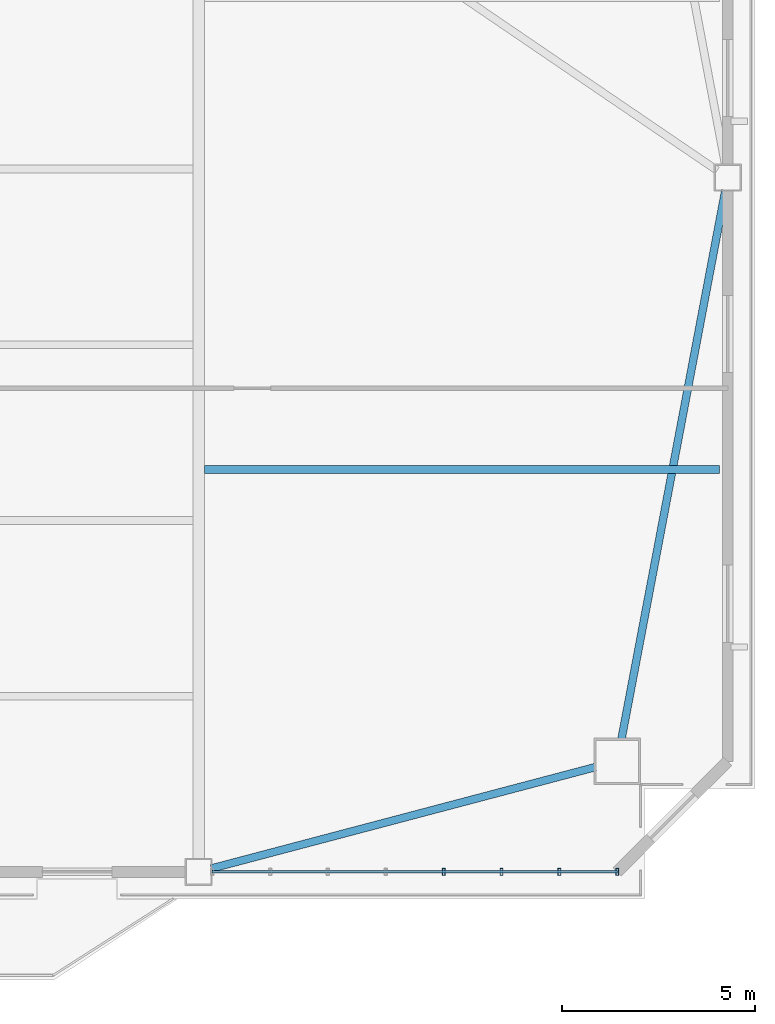
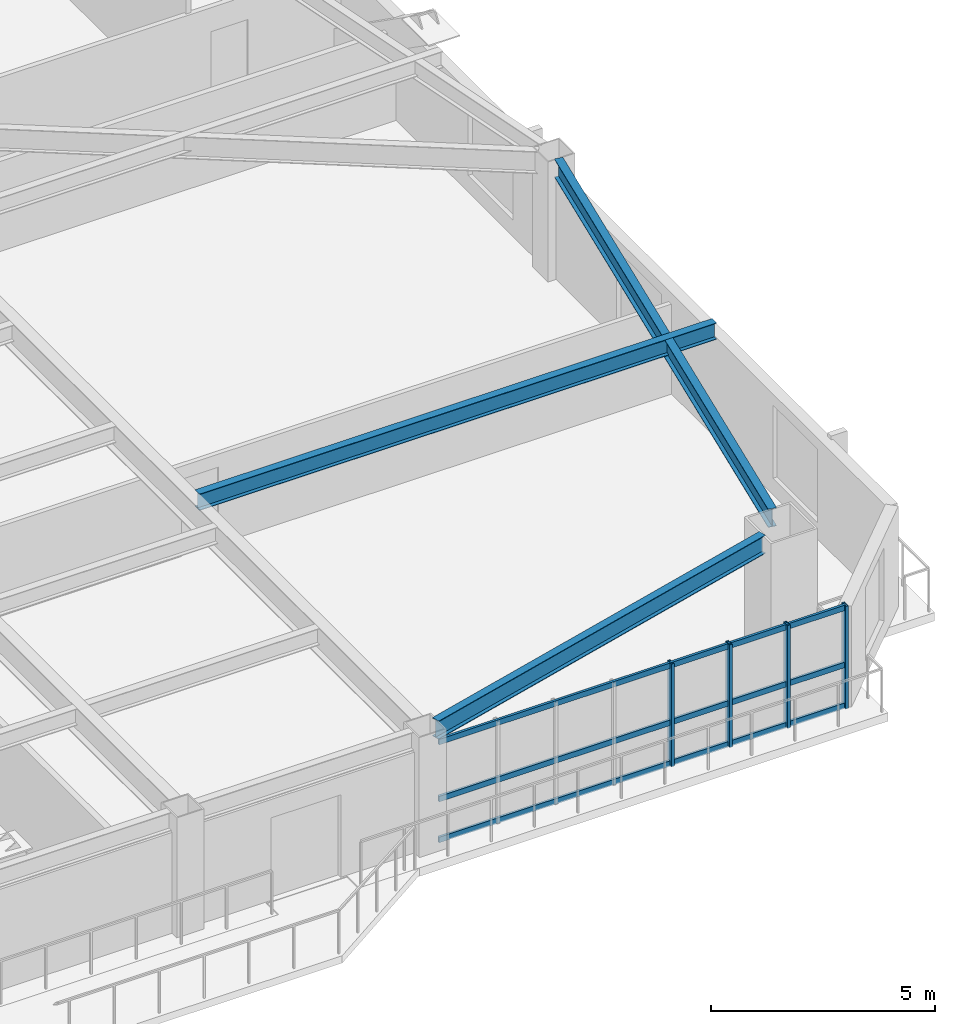
# One storey, part 5 of 15: 7 members, 3 beams, 1 element without a shape of its own.
"""IFC4 building model written with IfcOpenShell, lengths in metres."""

from ifc_helpers import new_model, si_unit, direction, frame, origin, origin_2d, place, context, subcontext, project, spatial, hollow_rectangle, i_section, extrude, source, transform, mapped, material, layer, layer_set, material_profile, profile_set, type_object, element, aggregate, save


model = new_model("IFC4")

# Units and contexts
model_context = context("Model", 3, precision=1e-05, world=origin(), true_north=direction((0.0, 1.0)))
body_context = subcontext(model_context, "Body", "Model", "MODEL_VIEW")
ifc_project = project(units=[si_unit("LENGTHUNIT", "METRE"), si_unit("AREAUNIT", "SQUARE_METRE"), si_unit("VOLUMEUNIT", "CUBIC_METRE"), si_unit("PLANEANGLEUNIT", "RADIAN"), si_unit("MASSUNIT", "GRAM", prefix="KILO")], contexts=[model_context])

# Site, building, storey
site_placement = place(None, origin())
site = spatial("IfcSite", under=ifc_project, at=site_placement, CompositionType="ELEMENT")
building_placement = place(site_placement, origin())
building = spatial("IfcBuilding", under=site, at=building_placement, Name="Giltprow Tower", CompositionType="ELEMENT")
storey_placement = place(building_placement, frame((0.0, 0.0, 184.199951171875)))
storey = spatial("IfcBuildingStorey", under=building, at=storey_placement, Name="L46", CompositionType="ELEMENT", Elevation=184.199951171875)

# Beams
ifc_material_1 = material(Name="Structural steel Q355B", Category="steel")
ifc_material_profile_1 = material_profile(ifc_material_1, i_section(OverallWidth=0.199951171875, OverallDepth=0.5, WebThickness=0.010009765625, FlangeThickness=0.01611328125, at=origin_2d()), Name="HN 500x200x10x16")
ifc_profile_set_1 = profile_set([ifc_material_profile_1], Name="Structural steel Q355B")
beam_type_1 = type_object("IfcBeamType", Name="BM-SPAN-HN500", PredefinedType="SPANDREL", material=ifc_profile_set_1)
shared_shape_1 = source(origin(), body_context, "Body", "SweptSolid", [
    extrude(i_section(OverallWidth=0.199951171875, OverallDepth=0.5, WebThickness=0.010009765625, FlangeThickness=0.01611328125, at=origin_2d()), origin(), (0.0, 0.0, 1.0), 10.286865234375),
])
beam_1_placement = place(storey_placement, frame((50.8740234375, 10.239990234375, 3.02001953125), z_axis=(0.966868553861, 0.25527475307, 0.0), x_axis=(-0.25527475307, 0.966868553861, 0.0)))
element("IfcBeam", 1, at=beam_1_placement, inside=storey, type_object=beam_type_1, Name="L46 Perimeter Spandrel Beam S4-MC_SE", PredefinedType="SPANDREL", context=body_context, shape_type="MappedRepresentation", body=[
    mapped(shared_shape_1, transform((0.0, 0.0, 0.0), x_axis=(1.0, 0.0, 0.0), y_axis=(0.0, 1.0, 0.0), z_axis=(0.0, 0.0, 1.0), scale=1.0)),
])
shared_shape_2 = source(origin(), body_context, "Body", "SweptSolid", [
    extrude(i_section(OverallWidth=0.199951171875, OverallDepth=0.5, WebThickness=0.010009765625, FlangeThickness=0.01611328125, at=origin_2d()), origin(), (0.0, 0.0, 1.0), 14.46044921875),
])
beam_2_placement = place(storey_placement, frame((61.4951171875, 13.590087890625, 3.02001953125), z_axis=(0.186021185186, 0.982545733624, 0.0), x_axis=(-0.982545733624, 0.186021185186, 0.0)))
element("IfcBeam", 2, at=beam_2_placement, inside=storey, type_object=beam_type_1, Name="L46 Perimeter Spandrel Beam MC_SE-E_MID", PredefinedType="SPANDREL", context=body_context, shape_type="MappedRepresentation", body=[
    mapped(shared_shape_2, transform((0.0, 0.0, 0.0), x_axis=(1.0, 0.0, 0.0), y_axis=(0.0, 1.0, 0.0), z_axis=(0.0, 0.0, 1.0), scale=1.0)),
])
ifc_material_profile_2 = material_profile(ifc_material_1, i_section(OverallWidth=0.199951171875, OverallDepth=0.449951171875, WebThickness=0.009033203125, FlangeThickness=0.013916015625, at=origin_2d()), Name="HN 450x200x9x14")
ifc_profile_set_2 = profile_set([ifc_material_profile_2], Name="Structural steel Q355B")
beam_type_2 = type_object("IfcBeamType", Name="BM-JOIST-HN450", PredefinedType="JOIST", material=ifc_profile_set_2)
shared_shape_3 = source(origin(), body_context, "Body", "SweptSolid", [
    extrude(i_section(OverallWidth=0.199951171875, OverallDepth=0.449951171875, WebThickness=0.009033203125, FlangeThickness=0.013916015625, at=origin_2d()), origin(), (0.0, 0.0, 1.0), 13.33203125),
])
beam_3_placement = place(storey_placement, frame((50.695068359375, 20.571044921875, 3.045166015625), z_axis=(1.0, 0.0, 0.0), x_axis=(0.0, 1.0, 0.0)))
element("IfcBeam", 3, at=beam_3_placement, inside=storey, type_object=beam_type_2, Name="L46 East Wing Floor Joist 1", PredefinedType="JOIST", context=body_context, shape_type="MappedRepresentation", body=[
    mapped(shared_shape_3, transform((0.0, 0.0, 0.0), x_axis=(1.0, 0.0, 0.0), y_axis=(0.0, 1.0, 0.0), z_axis=(0.0, 0.0, 1.0), scale=1.0)),
])

# Curtain wall, members
ifc_material_2 = material(Name="Anodized bronze", Category="metal")
ifc_layer = layer(ifc_material_2, 0.179931640625, Name="Anodized bronze")
ifc_layer_set = layer_set([ifc_layer], Name="Anodized bronze")
curtain_wall_type = type_object("IfcCurtainWallType", Name="CW-HTL-BRONZE", PredefinedType="NOTDEFINED", material=ifc_layer_set)
curtain_wall_placement = place(storey_placement, origin())
curtain_wall = element("IfcCurtainWall", 4, at=curtain_wall_placement, inside=storey, type_object=curtain_wall_type, Name="L46 South Recessed Curtain Wall 6", PredefinedType="NOTDEFINED")
ifc_material_profile_3 = material_profile(ifc_material_2, hollow_rectangle(XDim=0.074951171875, YDim=0.179931640625, WallThickness=0.008056640625, at=origin_2d()), Name="RHS 180x75x8")
ifc_profile_set_3 = profile_set([ifc_material_profile_3], Name="Anodized bronze")
member_type_1 = type_object("IfcMemberType", Name="CW-MULLION-180x75", PredefinedType="MULLION", material=ifc_profile_set_3)
shared_shape_4 = source(origin(), body_context, "Body", "SweptSolid", [
    extrude(hollow_rectangle(XDim=0.074951171875, YDim=0.179931640625, WallThickness=0.008056640625, at=origin_2d()), origin(), (0.0, 0.0, 1.0), 2.80517578125),
])
member_1_placement = place(storey_placement, frame((56.89208984375, 10.154052734375, -0.02001953125), z_axis=(0.0, 0.0, 1.0), x_axis=(1.0, 0.0, 0.0)))
member_1 = element("IfcMember", 5, at=member_1_placement, type_object=member_type_1, Name="L46 South Recessed Curtain Wall 6 Mullion 5", PredefinedType="MULLION", context=body_context, shape_type="MappedRepresentation", body=[
    mapped(shared_shape_4, transform((0.0, 0.0, 0.0), x_axis=(1.0, 0.0, 0.0), y_axis=(0.0, 1.0, 0.0), z_axis=(0.0, 0.0, 1.0), scale=1.0)),
])
member_2_placement = place(storey_placement, frame((58.389892578125, 10.154052734375, -0.02001953125), z_axis=(0.0, 0.0, 1.0), x_axis=(1.0, 0.0, 0.0)))
member_2 = element("IfcMember", 6, at=member_2_placement, type_object=member_type_1, Name="L46 South Recessed Curtain Wall 6 Mullion 6", PredefinedType="MULLION", context=body_context, shape_type="MappedRepresentation", body=[
    mapped(shared_shape_4, transform((0.0, 0.0, 0.0), x_axis=(1.0, 0.0, 0.0), y_axis=(0.0, 1.0, 0.0), z_axis=(0.0, 0.0, 1.0), scale=1.0)),
])
member_3_placement = place(storey_placement, frame((59.887939453125, 10.154052734375, -0.02001953125), z_axis=(0.0, 0.0, 1.0), x_axis=(1.0, 0.0, 0.0)))
member_3 = element("IfcMember", 7, at=member_3_placement, type_object=member_type_1, Name="L46 South Recessed Curtain Wall 6 Mullion 7", PredefinedType="MULLION", context=body_context, shape_type="MappedRepresentation", body=[
    mapped(shared_shape_4, transform((0.0, 0.0, 0.0), x_axis=(1.0, 0.0, 0.0), y_axis=(0.0, 1.0, 0.0), z_axis=(0.0, 0.0, 1.0), scale=1.0)),
])
member_4_placement = place(storey_placement, frame((61.385986328125, 10.154052734375, -0.02001953125), z_axis=(0.0, 0.0, 1.0), x_axis=(1.0, 0.0, 0.0)))
member_4 = element("IfcMember", 8, at=member_4_placement, type_object=member_type_1, Name="L46 South Recessed Curtain Wall 6 Mullion 8", PredefinedType="MULLION", context=body_context, shape_type="MappedRepresentation", body=[
    mapped(shared_shape_4, transform((0.0, 0.0, 0.0), x_axis=(1.0, 0.0, 0.0), y_axis=(0.0, 1.0, 0.0), z_axis=(0.0, 0.0, 1.0), scale=1.0)),
])
ifc_material_profile_4 = material_profile(ifc_material_2, hollow_rectangle(XDim=0.06494140625, YDim=0.14990234375, WallThickness=0.006103515625, at=origin_2d()), Name="RHS 150x65x6")
ifc_profile_set_4 = profile_set([ifc_material_profile_4], Name="Anodized bronze")
member_type_2 = type_object("IfcMemberType", Name="CW-TRANSOM-150x65", PredefinedType="USERDEFINED", material=ifc_profile_set_4)
shared_shape_5 = source(origin(), body_context, "Body", "SweptSolid", [
    extrude(hollow_rectangle(XDim=0.06494140625, YDim=0.14990234375, WallThickness=0.006103515625, at=origin_2d()), origin(), (0.0, 0.0, 1.0), 10.486083984375),
])
member_5_placement = place(storey_placement, frame((50.89990234375, 10.154052734375, 0.0400390625), z_axis=(1.0, 0.0, 0.0), x_axis=(0.0, 1.0, 0.0)))
member_5 = element("IfcMember", 9, at=member_5_placement, type_object=member_type_2, Name="L46 South Recessed Curtain Wall 6 Transom 1", ObjectType="TRANSOM", PredefinedType="USERDEFINED", context=body_context, shape_type="MappedRepresentation", body=[
    mapped(shared_shape_5, transform((0.0, 0.0, 0.0), x_axis=(1.0, 0.0, 0.0), y_axis=(0.0, 1.0, 0.0), z_axis=(0.0, 0.0, 1.0), scale=1.0)),
])
member_6_placement = place(storey_placement, frame((50.89990234375, 10.154052734375, 1.155029296875), z_axis=(1.0, 0.0, 0.0), x_axis=(0.0, 1.0, 0.0)))
member_6 = element("IfcMember", 10, at=member_6_placement, type_object=member_type_2, Name="L46 South Recessed Curtain Wall 6 Transom 2", ObjectType="TRANSOM", PredefinedType="USERDEFINED", context=body_context, shape_type="MappedRepresentation", body=[
    mapped(shared_shape_5, transform((0.0, 0.0, 0.0), x_axis=(1.0, 0.0, 0.0), y_axis=(0.0, 1.0, 0.0), z_axis=(0.0, 0.0, 1.0), scale=1.0)),
])
member_7_placement = place(storey_placement, frame((50.89990234375, 10.154052734375, 2.7099609375), z_axis=(1.0, 0.0, 0.0), x_axis=(0.0, 1.0, 0.0)))
member_7 = element("IfcMember", 11, at=member_7_placement, type_object=member_type_2, Name="L46 South Recessed Curtain Wall 6 Transom 3", ObjectType="TRANSOM", PredefinedType="USERDEFINED", context=body_context, shape_type="MappedRepresentation", body=[
    mapped(shared_shape_5, transform((0.0, 0.0, 0.0), x_axis=(1.0, 0.0, 0.0), y_axis=(0.0, 1.0, 0.0), z_axis=(0.0, 0.0, 1.0), scale=1.0)),
])
aggregate(curtain_wall, [member_1, member_2, member_3, member_4, member_5, member_6, member_7])

save(model, "model.ifc")
